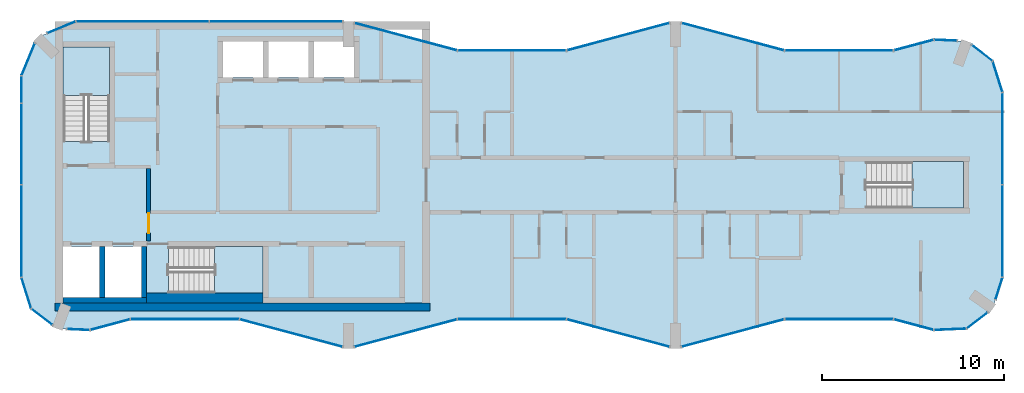
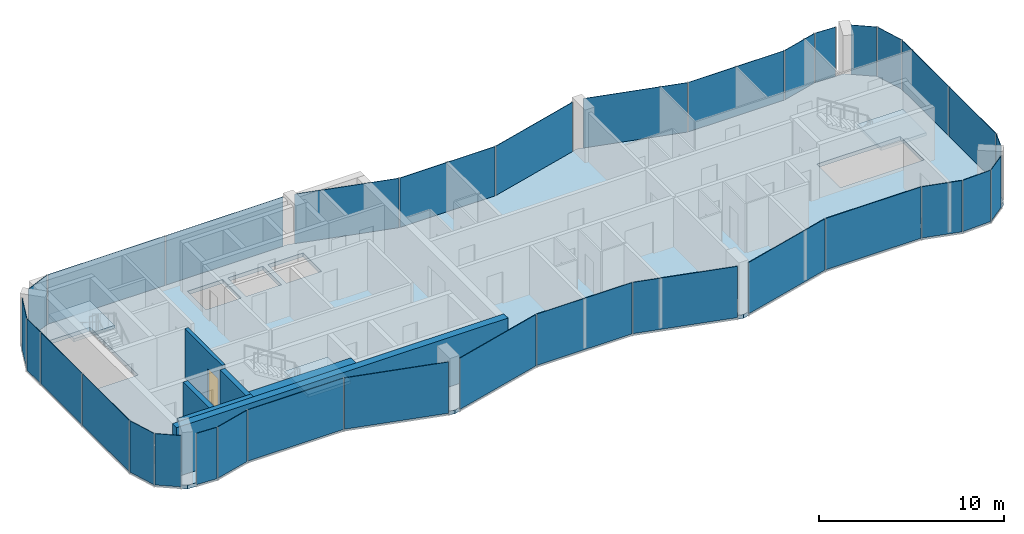
# One storey, part 6 of 10: 33 plates, 6 walls, 4 slabs, 1 door, 1 opening, 32 elements without a shape of their own.
"""IFC4 building model written with IfcOpenShell, lengths in metres."""

import ifcopenshell
import ifcopenshell.guid

model = None  # the IFC model being written
_history = None  # IfcOwnerHistory: only IFC2X3 demands one
_inside = {}  # id of a spatial element -> (the spatial element, [elements in it])
_under = {}  # id of a project, library or spatial element -> (it, [spatial elements below it])
_declared = {}  # id of a project -> (the project, [libraries it declares])
_typed = {}  # id of a type object -> (the type object, [elements of that type])
_made_of = {}  # id of a material, layer set ... -> (it, [elements and type objects made of it])


def new_model(schema):
    """Start an empty IFC model of exactly this schema.

    Asked for "IFC4X3", IfcOpenShell would pick the latest addendum, in which some entities
    have other attributes; the version numbers below select the first issue.
    IFC2X3 requires an IfcOwnerHistory on every rooted entity: one is made here for all.
    """
    global model, _history
    if schema == "IFC4X3":
        model = ifcopenshell.file(schema_version=(4, 3, 0, 0))
    else:
        model = ifcopenshell.file(schema=schema)
    _inside.clear()
    _under.clear()
    _declared.clear()
    _typed.clear()
    _made_of.clear()
    _history = None
    if model.schema == "IFC2X3":
        org = make("IfcOrganization", Name="unknown")
        user = make(
            "IfcPersonAndOrganization",
            ThePerson=make("IfcPerson", FamilyName="unknown"),
            TheOrganization=org,
        )
        app = make(
            "IfcApplication",
            ApplicationDeveloper=org,
            Version="unknown",
            ApplicationFullName="unknown",
            ApplicationIdentifier="unknown",
        )
        _history = make(
            "IfcOwnerHistory",
            OwningUser=user,
            OwningApplication=app,
            ChangeAction="ADDED",
            CreationDate=0,
        )
    return model


def make(cls, **values):
    """One entity of the class cls with the attributes given. An attribute that is None is left unset."""
    return model.create_entity(
        cls, **{name: value for name, value in values.items() if value is not None}
    )


def rooted(cls, **values):
    """An entity with a GlobalId (a new one), such as an element, a storey or a relation."""
    return make(cls, GlobalId=ifcopenshell.guid.new(), OwnerHistory=_history, **values)


def si_unit(unit_type, name, prefix=None):
    """IfcSIUnit, for example si_unit("LENGTHUNIT", "METRE", prefix="MILLI")."""
    return make("IfcSIUnit", UnitType=unit_type, Prefix=prefix, Name=name)


def assignment(units):
    """IfcUnitAssignment: the units of a project."""
    return None if units is None else make("IfcUnitAssignment", Units=units)


def point(xyz):
    """IfcCartesianPoint."""
    return None if xyz is None else make("IfcCartesianPoint", Coordinates=xyz)


def direction(xyz):
    """IfcDirection."""
    return None if xyz is None else make("IfcDirection", DirectionRatios=xyz)


def frame(location, z_axis=None, x_axis=None):
    """IfcAxis2Placement3D, a coordinate frame: its origin and axes. An axis left out is left unset."""
    return make(
        "IfcAxis2Placement3D",
        Location=point(location),
        Axis=direction(z_axis),
        RefDirection=direction(x_axis),
    )


def frame_2d(location, x_axis=None):
    """IfcAxis2Placement2D, a coordinate frame in the plane: its origin and x axis."""
    return make(
        "IfcAxis2Placement2D", Location=point(location), RefDirection=direction(x_axis)
    )


def origin():
    """The frame at (0, 0, 0) with its axes left unset."""
    return frame((0.0, 0.0, 0.0))


def origin_2d():
    """The frame at (0, 0) in the plane with its x axis left unset."""
    return frame_2d((0.0, 0.0))


def place(relative_to, where):
    """IfcLocalPlacement: puts the frame where relative to a parent placement (None: the world)."""
    return make(
        "IfcLocalPlacement", PlacementRelTo=relative_to, RelativePlacement=where
    )


def context(
    kind, dimensions, precision=None, world=None, true_north=None, identifier=None
):
    """IfcGeometricRepresentationContext, for example the 3D "Model" context."""
    return make(
        "IfcGeometricRepresentationContext",
        ContextIdentifier=identifier,
        ContextType=kind,
        CoordinateSpaceDimension=dimensions,
        Precision=precision,
        WorldCoordinateSystem=world,
        TrueNorth=true_north,
    )


def subcontext(parent, identifier, kind, view, scale=None):
    """IfcGeometricRepresentationSubContext, for example "Body" below "Model"."""
    return make(
        "IfcGeometricRepresentationSubContext",
        ContextIdentifier=identifier,
        ContextType=kind,
        ParentContext=parent,
        TargetScale=scale,
        TargetView=view,
    )


def project(units=None, contexts=None):
    """IfcProject with its units and contexts."""
    return rooted(
        "IfcProject",
        Name="project",
        RepresentationContexts=contexts,
        UnitsInContext=assignment(units),
    )


def spatial(cls, under=None, at=None, **own):
    """A site, building, storey or space (cls), placed at a placement, below another one or the project."""
    s = rooted(cls, ObjectPlacement=at, **own)
    if under is not None:
        _under.setdefault(under.id(), (under, []))[1].append(s)
    return s


def polyline(points):
    """IfcPolyline through the points."""
    return make("IfcPolyline", Points=[point(p) for p in points])


def profile(cls, at=None, kind="AREA", **sizes):
    """A parametric profile (cls). Its sizes go by their IFC names, for example OverallWidth=200.0."""
    return make(cls, ProfileType=kind, Position=at, **sizes)


def rectangle(**sizes):
    """IfcRectangleProfileDef."""
    return profile("IfcRectangleProfileDef", **sizes)


def outline(outer, holes=None, kind="AREA"):
    """IfcArbitraryClosedProfileDef: a profile drawn as a closed curve; with holes, ...WithVoids."""
    if holes is None:
        return make("IfcArbitraryClosedProfileDef", ProfileType=kind, OuterCurve=outer)
    return make(
        "IfcArbitraryProfileDefWithVoids",
        ProfileType=kind,
        OuterCurve=outer,
        InnerCurves=holes,
    )


def extrude(swept, where, along, depth):
    """IfcExtrudedAreaSolid: the profile swept, set in the frame where, extruded along a direction by depth."""
    return make(
        "IfcExtrudedAreaSolid",
        SweptArea=swept,
        Position=where,
        ExtrudedDirection=direction(along),
        Depth=depth,
    )


def shape(context_of_items, identifier, shape_type, items):
    """IfcShapeRepresentation: the items that make up one representation, for example the "Body"."""
    return make(
        "IfcShapeRepresentation",
        ContextOfItems=context_of_items,
        RepresentationIdentifier=identifier,
        RepresentationType=shape_type,
        Items=items,
    )


def material(Name=None, Category=None):
    """IfcMaterial."""
    return make("IfcMaterial", Name=Name, Category=Category)


def layer(
    of_material, thickness, ventilated=None, Name=None, Category=None, Priority=None
):
    """IfcMaterialLayer: one layer of a wall or slab, of a material (None: an air gap)."""
    return make(
        "IfcMaterialLayer",
        Material=of_material,
        LayerThickness=thickness,
        IsVentilated=ventilated,
        Name=Name,
        Category=Category,
        Priority=Priority,
    )


def layer_set(layers, Name=None):
    """IfcMaterialLayerSet."""
    return make("IfcMaterialLayerSet", MaterialLayers=layers, LayerSetName=Name)


def made_of(thing, what):
    """Note that an element or type object is made of a material, layer set ...; save() writes the relation."""
    if what is not None:
        _made_of.setdefault(what.id(), (what, []))[1].append(thing)
    return thing


def type_object(cls, material=None, **own):
    """A type object (cls), such as IfcWallType, which elements share."""
    return made_of(rooted(cls, **own), material)


def element(
    cls,
    number,
    at=None,
    inside=None,
    cuts=None,
    type_object=None,
    material=None,
    context=None,
    identifier="Body",
    shape_type=None,
    held_by="IfcProductDefinitionShape",
    body=None,
    shapes=None,
    **own,
):
    """One element of the class cls, such as IfcWall. Its Tag is "e" and its number.

    at: its placement. inside: the storey or other place that contains it. cuts: it is an
    opening in that element (IfcRelVoidsElement). A single representation is given by context,
    identifier, shape_type and body (its items); several are given by shapes. held_by: the class
    of the entity that holds the representations. save() writes the other relations.
    """
    e = rooted(cls, Tag="e%d" % number, ObjectPlacement=at, **own)
    if body is not None:
        shapes = [shape(context, identifier, shape_type, body)]
    if shapes is not None:
        e.Representation = make(held_by, Representations=shapes)
    if inside is not None:
        _inside.setdefault(inside.id(), (inside, []))[1].append(e)
    if cuts is not None:
        rooted(
            "IfcRelVoidsElement", RelatingBuildingElement=cuts, RelatedOpeningElement=e
        )
    if type_object is not None:
        _typed.setdefault(type_object.id(), (type_object, []))[1].append(e)
    return made_of(e, material)


def fill(opening, filler):
    """IfcRelFillsElement: the door or window that sits in an opening."""
    return rooted(
        "IfcRelFillsElement",
        RelatingOpeningElement=opening,
        RelatedBuildingElement=filler,
    )


def aggregate(whole, parts):
    """IfcRelAggregates: a whole, such as a stair, and the parts it consists of."""
    return rooted("IfcRelAggregates", RelatingObject=whole, RelatedObjects=parts)


def save(model, path):
    """Write the relations noted so far, then the file.

    IfcRelAggregates (storeys below a building ...), IfcRelContainedInSpatialStructure (elements
    in a storey), IfcRelDefinesByType, IfcRelAssociatesMaterial and IfcRelDeclares: one each for
    every whole, place, type object, material and project.
    """
    for whole, parts in _under.values():
        aggregate(whole, parts)
    for where, things in _inside.values():
        rooted(
            "IfcRelContainedInSpatialStructure",
            RelatedElements=things,
            RelatingStructure=where,
        )
    for kind, things in _typed.values():
        rooted("IfcRelDefinesByType", RelatedObjects=things, RelatingType=kind)
    for what, things in _made_of.values():
        rooted("IfcRelAssociatesMaterial", RelatedObjects=things, RelatingMaterial=what)
    for by, libraries in _declared.values():
        rooted("IfcRelDeclares", RelatingContext=by, RelatedDefinitions=libraries)
    model.write(path)


model = new_model("IFC4")

# Units and contexts
model_context = context("Model", 3, precision=1e-05, world=origin(), true_north=direction((0.0, 1.0)))
body_context = subcontext(model_context, "Body", "Model", "MODEL_VIEW")
ifc_project = project(units=[si_unit("LENGTHUNIT", "METRE"), si_unit("AREAUNIT", "SQUARE_METRE"), si_unit("VOLUMEUNIT", "CUBIC_METRE"), si_unit("PLANEANGLEUNIT", "RADIAN"), si_unit("MASSUNIT", "GRAM", prefix="KILO")], contexts=[model_context])

# Site, building, storey
site_placement = place(None, origin())
site = spatial("IfcSite", under=ifc_project, at=site_placement, CompositionType="ELEMENT")
building_placement = place(site_placement, origin())
building = spatial("IfcBuilding", under=site, at=building_placement, Name="Plateau Cross Towers", CompositionType="ELEMENT")
storey_placement = place(building_placement, frame((0.0, 0.0, 266.89990234375)))
storey = spatial("IfcBuildingStorey", under=building, at=storey_placement, Name="L70", CompositionType="ELEMENT", Elevation=266.89990234375)

# Curtain wall, plate
ifc_material_1 = material(Name="Dark low-iron glass", Category="glass")
ifc_layer_1 = layer(ifc_material_1, 0.239990234375)
ifc_layer_set_1 = layer_set([ifc_layer_1], Name="Dark low-iron glass")
curtain_wall_type_1 = type_object("IfcCurtainWallType", Name="Curtain wall flush unitised CW-B", PredefinedType="NOTDEFINED", material=ifc_layer_set_1)
curtain_wall_1_placement = place(storey_placement, origin())
curtain_wall_1 = element("IfcCurtainWall", 1, at=curtain_wall_1_placement, inside=storey, type_object=curtain_wall_type_1, Name="ENV/A/L70/A502_10", PredefinedType="NOTDEFINED")
ifc_layer_2 = layer(ifc_material_1, 0.031982421875)
ifc_layer_set_2 = layer_set([ifc_layer_2], Name="Dark low-iron glass")
plate_type_1 = type_object("IfcPlateType", Name="Glass panel 32 flush unitised", PredefinedType="CURTAIN_PANEL", material=ifc_layer_set_2)
plate_1_placement = place(storey_placement, frame((51.125, 1.05078125, -0.1298828125), z_axis=(0.0, 0.0, 1.0), x_axis=(0.999043701491, 0.043722791671, 0.0)))
plate_1 = element("IfcPlate", 2, at=plate_1_placement, type_object=plate_type_1, Name="CW-B panel 1", PredefinedType="CURTAIN_PANEL", context=body_context, shape_type="SweptSolid", body=[
    extrude(rectangle(XDim=1.744140625, YDim=0.031982421875, at=origin_2d()), origin(), (0.0, 0.0, 1.0), 3.3798828125),
])
aggregate(curtain_wall_1, [plate_1])

curtain_wall_2_placement = place(storey_placement, origin())
curtain_wall_2 = element("IfcCurtainWall", 3, at=curtain_wall_2_placement, inside=storey, type_object=curtain_wall_type_1, Name="ENV/A/L70/A520_11", PredefinedType="NOTDEFINED")
plate_2_placement = place(storey_placement, frame((52.60986328125, 1.5380859375, -0.1298828125), z_axis=(0.0, 0.0, 1.0), x_axis=(0.793315514529, 0.608810721331, 0.0)))
plate_2 = element("IfcPlate", 4, at=plate_2_placement, type_object=plate_type_1, Name="CW-B panel 1", PredefinedType="CURTAIN_PANEL", context=body_context, shape_type="SweptSolid", body=[
    extrude(rectangle(XDim=1.41162109375, YDim=0.031982421875, at=origin_2d()), origin(), (0.0, 0.0, 1.0), 3.3798828125),
])
aggregate(curtain_wall_2, [plate_2])

curtain_wall_3_placement = place(storey_placement, origin())
curtain_wall_3 = element("IfcCurtainWall", 5, at=curtain_wall_3_placement, inside=storey, type_object=curtain_wall_type_1, Name="ENV/A/L70/A536_27", PredefinedType="NOTDEFINED")
plate_3_placement = place(storey_placement, frame((53.805419921875, 3.292236328125, -0.1298828125), z_axis=(0.0, 0.0, 1.0), x_axis=(0.300686174994, 0.95372313811, 0.0)))
plate_3 = element("IfcPlate", 6, at=plate_3_placement, type_object=plate_type_1, Name="CW-B panel 1", PredefinedType="CURTAIN_PANEL", context=body_context, shape_type="SweptSolid", body=[
    extrude(rectangle(XDim=1.233642578125, YDim=0.031982421875, at=origin_2d()), origin(), (0.0, 0.0, 1.0), 3.3798828125),
])
aggregate(curtain_wall_3, [plate_3])

# Curtain wall, plates
curtain_wall_4_placement = place(storey_placement, origin())
curtain_wall_4 = element("IfcCurtainWall", 7, at=curtain_wall_4_placement, inside=storey, type_object=curtain_wall_type_1, Name="ENV/A/L70/A540_39", PredefinedType="NOTDEFINED")
plate_4_placement = place(storey_placement, frame((54.0, 6.45458984375, -0.1298828125), z_axis=(0.0, 0.0, 1.0), x_axis=(0.0, 1.0, 0.0)))
plate_4 = element("IfcPlate", 8, at=plate_4_placement, type_object=plate_type_1, Name="CW-B panel 1", PredefinedType="CURTAIN_PANEL", context=body_context, shape_type="SweptSolid", body=[
    extrude(rectangle(XDim=5.03076171875, YDim=0.031982421875, at=origin_2d()), origin(), (0.0, 0.0, 1.0), 3.3798828125),
])
plate_5_placement = place(storey_placement, frame((54.0, 11.54541015625, -0.1298828125), z_axis=(0.0, 0.0, 1.0), x_axis=(0.0, 1.0, 0.0)))
plate_5 = element("IfcPlate", 9, at=plate_5_placement, type_object=plate_type_1, Name="CW-B panel 2", PredefinedType="CURTAIN_PANEL", context=body_context, shape_type="SweptSolid", body=[
    extrude(rectangle(XDim=5.03076171875, YDim=0.031982421875, at=origin_2d()), origin(), (0.0, 0.0, 1.0), 3.3798828125),
])
aggregate(curtain_wall_4, [plate_4, plate_5])

# Curtain wall, plate
curtain_wall_5_placement = place(storey_placement, origin())
curtain_wall_5 = element("IfcCurtainWall", 10, at=curtain_wall_5_placement, inside=storey, type_object=curtain_wall_type_1, Name="ENV/A/L70/A540_141", PredefinedType="NOTDEFINED")
plate_6_placement = place(storey_placement, frame((53.728759765625, 14.951171875, -0.1298828125), z_axis=(0.0, 0.0, 1.0), x_axis=(-0.300686174994, 0.95372313811, 0.0)))
plate_6 = element("IfcPlate", 11, at=plate_6_placement, type_object=plate_type_1, Name="CW-B panel 1", PredefinedType="CURTAIN_PANEL", context=body_context, shape_type="SweptSolid", body=[
    extrude(rectangle(XDim=1.744140625, YDim=0.031982421875, at=origin_2d()), origin(), (0.0, 0.0, 1.0), 3.3798828125),
])
aggregate(curtain_wall_5, [plate_6])

curtain_wall_6_placement = place(storey_placement, origin())
curtain_wall_6 = element("IfcCurtainWall", 12, at=curtain_wall_6_placement, inside=storey, type_object=curtain_wall_type_1, Name="ENV/A/L70/A535_158", PredefinedType="NOTDEFINED")
plate_7_placement = place(storey_placement, frame((52.873779296875, 16.25927734375, -0.1298828125), z_axis=(0.0, 0.0, 1.0), x_axis=(-0.793315514529, 0.608810721331, 0.0)))
plate_7 = element("IfcPlate", 13, at=plate_7_placement, type_object=plate_type_1, Name="CW-B panel 1", PredefinedType="CURTAIN_PANEL", context=body_context, shape_type="SweptSolid", body=[
    extrude(rectangle(XDim=1.41162109375, YDim=0.031982421875, at=origin_2d()), origin(), (0.0, 0.0, 1.0), 3.3798828125),
])
aggregate(curtain_wall_6, [plate_7])

curtain_wall_7_placement = place(storey_placement, origin())
curtain_wall_7 = element("IfcCurtainWall", 14, at=curtain_wall_7_placement, inside=storey, type_object=curtain_wall_type_1, Name="ENV/A/L70/A515_169", PredefinedType="NOTDEFINED")
plate_8_placement = place(storey_placement, frame((50.8701171875, 16.96044921875, -0.1298828125), z_axis=(0.0, 0.0, 1.0), x_axis=(-0.999043701491, 0.043722791671, 0.0)))
plate_8 = element("IfcPlate", 15, at=plate_8_placement, type_object=plate_type_1, Name="CW-B panel 1", PredefinedType="CURTAIN_PANEL", context=body_context, shape_type="SweptSolid", body=[
    extrude(rectangle(XDim=1.233642578125, YDim=0.031982421875, at=origin_2d()), origin(), (0.0, 0.0, 1.0), 3.3798828125),
])
aggregate(curtain_wall_7, [plate_8])

# Curtain wall, plates
curtain_wall_8_placement = place(storey_placement, origin())
curtain_wall_8 = element("IfcCurtainWall", 16, at=curtain_wall_8_placement, inside=storey, type_object=curtain_wall_type_1, Name="ENV/A/L70/A177_180", PredefinedType="NOTDEFINED")
plate_9_placement = place(storey_placement, frame((14.02490234375, 18.0, -0.1298828125), z_axis=(0.0, 0.0, 1.0), x_axis=(-1.0, 0.0, 0.0)))
plate_9 = element("IfcPlate", 17, at=plate_9_placement, type_object=plate_type_1, Name="CW-B panel 1", PredefinedType="CURTAIN_PANEL", context=body_context, shape_type="SweptSolid", body=[
    extrude(rectangle(XDim=7.2900390625, YDim=0.031982421875, at=origin_2d()), origin(), (0.0, 0.0, 1.0), 3.3798828125),
])
plate_10_placement = place(storey_placement, frame((6.675048828125, 18.0, -0.1298828125), z_axis=(0.0, 0.0, 1.0), x_axis=(-1.0, 0.0, 0.0)))
plate_10 = element("IfcPlate", 18, at=plate_10_placement, type_object=plate_type_1, Name="CW-B panel 2", PredefinedType="CURTAIN_PANEL", context=body_context, shape_type="SweptSolid", body=[
    extrude(rectangle(XDim=7.2900390625, YDim=0.031982421875, at=origin_2d()), origin(), (0.0, 0.0, 1.0), 3.3798828125),
])
aggregate(curtain_wall_8, [plate_9, plate_10])

# Curtain wall, plate
curtain_wall_9_placement = place(storey_placement, origin())
curtain_wall_9 = element("IfcCurtainWall", 19, at=curtain_wall_9_placement, inside=storey, type_object=curtain_wall_type_1, Name="ENV/A/L70/A30_180", PredefinedType="NOTDEFINED")
plate_11_placement = place(storey_placement, frame((2.20166015625, 17.66943359375, -0.1298828125), z_axis=(0.0, 0.0, 1.0), x_axis=(-0.923879457699, -0.382683612978, 0.0)))
plate_11 = element("IfcPlate", 20, at=plate_11_placement, type_object=plate_type_1, Name="CW-B panel 1", PredefinedType="CURTAIN_PANEL", context=body_context, shape_type="SweptSolid", body=[
    extrude(rectangle(XDim=1.668212890625, YDim=0.031982421875, at=origin_2d()), origin(), (0.0, 0.0, 1.0), 3.3798828125),
])
aggregate(curtain_wall_9, [plate_11])

curtain_wall_10_placement = place(storey_placement, origin())
curtain_wall_10 = element("IfcCurtainWall", 21, at=curtain_wall_10_placement, inside=storey, type_object=curtain_wall_type_1, Name="ENV/A/L70/A7_168", PredefinedType="NOTDEFINED")
plate_12_placement = place(storey_placement, frame((0.3740234375, 15.90283203125, -0.1298828125), z_axis=(0.0, 0.0, 1.0), x_axis=(-0.382683612978, -0.923879457699, 0.0)))
plate_12 = element("IfcPlate", 22, at=plate_12_placement, type_object=plate_type_1, Name="CW-B panel 1", PredefinedType="CURTAIN_PANEL", context=body_context, shape_type="SweptSolid", body=[
    extrude(rectangle(XDim=1.894775390625, YDim=0.031982421875, at=origin_2d()), origin(), (0.0, 0.0, 1.0), 3.3798828125),
])
aggregate(curtain_wall_10, [plate_12])

# Curtain wall, plates
curtain_wall_11_placement = place(storey_placement, origin())
curtain_wall_11 = element("IfcCurtainWall", 23, at=curtain_wall_11_placement, inside=storey, type_object=curtain_wall_type_1, Name="ENV/A/L70/A0_150", PredefinedType="NOTDEFINED")
plate_13_placement = place(storey_placement, frame((0.0, 14.25, -0.1298828125), z_axis=(0.0, 0.0, 1.0), x_axis=(0.0, -1.0, 0.0)))
plate_13 = element("IfcPlate", 24, at=plate_13_placement, type_object=plate_type_1, Name="CW-B panel 1", PredefinedType="CURTAIN_PANEL", context=body_context, shape_type="SweptSolid", body=[
    extrude(rectangle(XDim=1.43994140625, YDim=0.031982421875, at=origin_2d()), origin(), (0.0, 0.0, 1.0), 3.3798828125),
])
plate_14_placement = place(storey_placement, frame((0.0, 11.25, -0.1298828125), z_axis=(0.0, 0.0, 1.0), x_axis=(0.0, -1.0, 0.0)))
plate_14 = element("IfcPlate", 25, at=plate_14_placement, type_object=plate_type_1, Name="CW-B panel 2", PredefinedType="CURTAIN_PANEL", context=body_context, shape_type="SweptSolid", body=[
    extrude(rectangle(XDim=4.43994140625, YDim=0.031982421875, at=origin_2d()), origin(), (0.0, 0.0, 1.0), 3.3798828125),
])
plate_15_placement = place(storey_placement, frame((0.0, 6.45458984375, -0.1298828125), z_axis=(0.0, 0.0, 1.0), x_axis=(0.0, -1.0, 0.0)))
plate_15 = element("IfcPlate", 26, at=plate_15_placement, type_object=plate_type_1, Name="CW-B panel 3", PredefinedType="CURTAIN_PANEL", context=body_context, shape_type="SweptSolid", body=[
    extrude(rectangle(XDim=5.03076171875, YDim=0.031982421875, at=origin_2d()), origin(), (0.0, 0.0, 1.0), 3.3798828125),
])
aggregate(curtain_wall_11, [plate_13, plate_14, plate_15])

# Curtain wall, plate
curtain_wall_12_placement = place(storey_placement, origin())
curtain_wall_12 = element("IfcCurtainWall", 27, at=curtain_wall_12_placement, inside=storey, type_object=curtain_wall_type_1, Name="ENV/A/L70/A0_39", PredefinedType="NOTDEFINED")
plate_16_placement = place(storey_placement, frame((0.271240234375, 3.048828125, -0.1298828125), z_axis=(0.0, 0.0, 1.0), x_axis=(0.300686174994, -0.95372313811, 0.0)))
plate_16 = element("IfcPlate", 28, at=plate_16_placement, type_object=plate_type_1, Name="CW-B panel 1", PredefinedType="CURTAIN_PANEL", context=body_context, shape_type="SweptSolid", body=[
    extrude(rectangle(XDim=1.744140625, YDim=0.031982421875, at=origin_2d()), origin(), (0.0, 0.0, 1.0), 3.3798828125),
])
aggregate(curtain_wall_12, [plate_16])

curtain_wall_13_placement = place(storey_placement, origin())
curtain_wall_13 = element("IfcCurtainWall", 29, at=curtain_wall_13_placement, inside=storey, type_object=curtain_wall_type_1, Name="ENV/A/L70/A5_22", PredefinedType="NOTDEFINED")
plate_17_placement = place(storey_placement, frame((1.126220703125, 1.74072265625, -0.1298828125), z_axis=(0.0, 0.0, 1.0), x_axis=(0.793315514529, -0.608810721331, 0.0)))
plate_17 = element("IfcPlate", 30, at=plate_17_placement, type_object=plate_type_1, Name="CW-B panel 1", PredefinedType="CURTAIN_PANEL", context=body_context, shape_type="SweptSolid", body=[
    extrude(rectangle(XDim=1.41162109375, YDim=0.031982421875, at=origin_2d()), origin(), (0.0, 0.0, 1.0), 3.3798828125),
])
aggregate(curtain_wall_13, [plate_17])

curtain_wall_14_placement = place(storey_placement, origin())
curtain_wall_14 = element("IfcCurtainWall", 31, at=curtain_wall_14_placement, inside=storey, type_object=curtain_wall_type_1, Name="ENV/A/L70/A25_11", PredefinedType="NOTDEFINED")
plate_18_placement = place(storey_placement, frame((3.1298828125, 1.03955078125, -0.1298828125), z_axis=(0.0, 0.0, 1.0), x_axis=(0.999043701491, -0.043722791671, 0.0)))
plate_18 = element("IfcPlate", 32, at=plate_18_placement, type_object=plate_type_1, Name="CW-B panel 1", PredefinedType="CURTAIN_PANEL", context=body_context, shape_type="SweptSolid", body=[
    extrude(rectangle(XDim=1.233642578125, YDim=0.031982421875, at=origin_2d()), origin(), (0.0, 0.0, 1.0), 3.3798828125),
])
aggregate(curtain_wall_14, [plate_18])

ifc_layer_3 = layer(ifc_material_1, 0.260009765625)
ifc_layer_set_3 = layer_set([ifc_layer_3], Name="Dark low-iron glass")
curtain_wall_type_2 = type_object("IfcCurtainWallType", Name="Curtain wall fluted unitised CW-A", PredefinedType="NOTDEFINED", material=ifc_layer_set_3)
curtain_wall_15_placement = place(storey_placement, origin())
curtain_wall_15 = element("IfcCurtainWall", 33, at=curtain_wall_15_placement, inside=storey, type_object=curtain_wall_type_2, Name="ENV/A/L70/A38_10", PredefinedType="NOTDEFINED")
ifc_layer_4 = layer(ifc_material_1, 0.035888671875)
ifc_layer_set_4 = layer_set([ifc_layer_4], Name="Dark low-iron glass")
plate_type_2 = type_object("IfcPlateType", Name="Glass panel 36 fluted unitised", PredefinedType="CURTAIN_PANEL", material=ifc_layer_set_4)
plate_19_placement = place(storey_placement, frame((4.887939453125, 1.30908203125, -0.1298828125), z_axis=(0.0, 0.0, 1.0), x_axis=(0.965957962328, 0.258699081978, 0.0)))
plate_19 = element("IfcPlate", 34, at=plate_19_placement, type_object=plate_type_2, Name="CW-A panel 1", PredefinedType="CURTAIN_PANEL", context=body_context, shape_type="SweptSolid", body=[
    extrude(rectangle(XDim=2.2421875, YDim=0.035888671875, at=origin_2d()), origin(), (0.0, 0.0, 1.0), 3.3798828125),
])
aggregate(curtain_wall_15, [plate_19])

curtain_wall_16_placement = place(storey_placement, origin())
curtain_wall_16 = element("IfcCurtainWall", 35, at=curtain_wall_16_placement, inside=storey, type_object=curtain_wall_type_2, Name="ENV/A/L70/A60_16", PredefinedType="NOTDEFINED")
plate_20_placement = place(storey_placement, frame((9.0, 1.60693359375, -0.1298828125), z_axis=(0.0, 0.0, 1.0), x_axis=(1.0, 0.0, 0.0)))
plate_20 = element("IfcPlate", 36, at=plate_20_placement, type_object=plate_type_2, Name="CW-A panel 1", PredefinedType="CURTAIN_PANEL", context=body_context, shape_type="SweptSolid", body=[
    extrude(rectangle(XDim=5.93994140625, YDim=0.035888671875, at=origin_2d()), origin(), (0.0, 0.0, 1.0), 3.3798828125),
])
aggregate(curtain_wall_16, [plate_20])

curtain_wall_17_placement = place(storey_placement, origin())
curtain_wall_17 = element("IfcCurtainWall", 37, at=curtain_wall_17_placement, inside=storey, type_object=curtain_wall_type_2, Name="ENV/A/L70/A120_16", PredefinedType="NOTDEFINED")
plate_21_placement = place(storey_placement, frame((14.841064453125, 0.845947265625, -0.1298828125), z_axis=(0.0, 0.0, 1.0), x_axis=(0.965957983404, -0.258699003279, 0.0)))
plate_21 = element("IfcPlate", 38, at=plate_21_placement, type_object=plate_type_2, Name="CW-A panel 1", PredefinedType="CURTAIN_PANEL", context=body_context, shape_type="SweptSolid", body=[
    extrude(rectangle(XDim=5.822265625, YDim=0.035888671875, at=origin_2d()), origin(), (0.0, 0.0, 1.0), 3.3798828125),
])
aggregate(curtain_wall_17, [plate_21])

curtain_wall_18_placement = place(storey_placement, origin())
curtain_wall_18 = element("IfcCurtainWall", 39, at=curtain_wall_18_placement, inside=storey, type_object=curtain_wall_type_2, Name="ENV/A/L70/A183_1", PredefinedType="NOTDEFINED")
plate_22_placement = place(storey_placement, frame((21.158935546875, 0.845947265625, -0.1298828125), z_axis=(0.0, 0.0, 1.0), x_axis=(0.965957983404, 0.258699003279, 0.0)))
plate_22 = element("IfcPlate", 40, at=plate_22_placement, type_object=plate_type_2, Name="CW-A panel 1", PredefinedType="CURTAIN_PANEL", context=body_context, shape_type="SweptSolid", body=[
    extrude(rectangle(XDim=5.822265625, YDim=0.035888671875, at=origin_2d()), origin(), (0.0, 0.0, 1.0), 3.3798828125),
])
aggregate(curtain_wall_18, [plate_22])

curtain_wall_19_placement = place(storey_placement, origin())
curtain_wall_19 = element("IfcCurtainWall", 41, at=curtain_wall_19_placement, inside=storey, type_object=curtain_wall_type_2, Name="ENV/A/L70/A240_16", PredefinedType="NOTDEFINED")
plate_23_placement = place(storey_placement, frame((27.0, 1.60693359375, -0.1298828125), z_axis=(0.0, 0.0, 1.0), x_axis=(1.0, 0.0, 0.0)))
plate_23 = element("IfcPlate", 42, at=plate_23_placement, type_object=plate_type_2, Name="CW-A panel 1", PredefinedType="CURTAIN_PANEL", context=body_context, shape_type="SweptSolid", body=[
    extrude(rectangle(XDim=5.93994140625, YDim=0.035888671875, at=origin_2d()), origin(), (0.0, 0.0, 1.0), 3.3798828125),
])
aggregate(curtain_wall_19, [plate_23])

curtain_wall_20_placement = place(storey_placement, origin())
curtain_wall_20 = element("IfcCurtainWall", 43, at=curtain_wall_20_placement, inside=storey, type_object=curtain_wall_type_2, Name="ENV/A/L70/A300_16", PredefinedType="NOTDEFINED")
plate_24_placement = place(storey_placement, frame((32.841064453125, 0.845947265625, -0.1298828125), z_axis=(0.0, 0.0, 1.0), x_axis=(0.965957983404, -0.258699003279, 0.0)))
plate_24 = element("IfcPlate", 44, at=plate_24_placement, type_object=plate_type_2, Name="CW-A panel 1", PredefinedType="CURTAIN_PANEL", context=body_context, shape_type="SweptSolid", body=[
    extrude(rectangle(XDim=5.822265625, YDim=0.035888671875, at=origin_2d()), origin(), (0.0, 0.0, 1.0), 3.3798828125),
])
aggregate(curtain_wall_20, [plate_24])

curtain_wall_21_placement = place(storey_placement, origin())
curtain_wall_21 = element("IfcCurtainWall", 45, at=curtain_wall_21_placement, inside=storey, type_object=curtain_wall_type_2, Name="ENV/A/L70/A363_1", PredefinedType="NOTDEFINED")
plate_25_placement = place(storey_placement, frame((39.158935546875, 0.845947265625, -0.1298828125), z_axis=(0.0, 0.0, 1.0), x_axis=(0.965957983404, 0.258699003279, 0.0)))
plate_25 = element("IfcPlate", 46, at=plate_25_placement, type_object=plate_type_2, Name="CW-A panel 1", PredefinedType="CURTAIN_PANEL", context=body_context, shape_type="SweptSolid", body=[
    extrude(rectangle(XDim=5.822265625, YDim=0.035888671875, at=origin_2d()), origin(), (0.0, 0.0, 1.0), 3.3798828125),
])
aggregate(curtain_wall_21, [plate_25])

curtain_wall_22_placement = place(storey_placement, origin())
curtain_wall_22 = element("IfcCurtainWall", 47, at=curtain_wall_22_placement, inside=storey, type_object=curtain_wall_type_2, Name="ENV/A/L70/A420_16", PredefinedType="NOTDEFINED")
plate_26_placement = place(storey_placement, frame((45.0, 1.60693359375, -0.1298828125), z_axis=(0.0, 0.0, 1.0), x_axis=(1.0, 0.0, 0.0)))
plate_26 = element("IfcPlate", 48, at=plate_26_placement, type_object=plate_type_2, Name="CW-A panel 1", PredefinedType="CURTAIN_PANEL", context=body_context, shape_type="SweptSolid", body=[
    extrude(rectangle(XDim=5.93994140625, YDim=0.035888671875, at=origin_2d()), origin(), (0.0, 0.0, 1.0), 3.3798828125),
])
aggregate(curtain_wall_22, [plate_26])

curtain_wall_23_placement = place(storey_placement, origin())
curtain_wall_23 = element("IfcCurtainWall", 49, at=curtain_wall_23_placement, inside=storey, type_object=curtain_wall_type_2, Name="ENV/A/L70/A480_16", PredefinedType="NOTDEFINED")
plate_27_placement = place(storey_placement, frame((49.112060546875, 1.30908203125, -0.1298828125), z_axis=(0.0, 0.0, 1.0), x_axis=(0.965957962328, -0.258699081978, 0.0)))
plate_27 = element("IfcPlate", 50, at=plate_27_placement, type_object=plate_type_2, Name="CW-A panel 1", PredefinedType="CURTAIN_PANEL", context=body_context, shape_type="SweptSolid", body=[
    extrude(rectangle(XDim=2.2421875, YDim=0.035888671875, at=origin_2d()), origin(), (0.0, 0.0, 1.0), 3.3798828125),
])
aggregate(curtain_wall_23, [plate_27])

curtain_wall_24_placement = place(storey_placement, origin())
curtain_wall_24 = element("IfcCurtainWall", 51, at=curtain_wall_24_placement, inside=storey, type_object=curtain_wall_type_2, Name="ENV/A/L70/A502_170", PredefinedType="NOTDEFINED")
plate_28_placement = place(storey_placement, frame((49.112060546875, 16.69091796875, -0.1298828125), z_axis=(0.0, 0.0, 1.0), x_axis=(-0.965957962328, -0.258699081978, 0.0)))
plate_28 = element("IfcPlate", 52, at=plate_28_placement, type_object=plate_type_2, Name="CW-A panel 1", PredefinedType="CURTAIN_PANEL", context=body_context, shape_type="SweptSolid", body=[
    extrude(rectangle(XDim=2.2421875, YDim=0.035888671875, at=origin_2d()), origin(), (0.0, 0.0, 1.0), 3.3798828125),
])
aggregate(curtain_wall_24, [plate_28])

curtain_wall_25_placement = place(storey_placement, origin())
curtain_wall_25 = element("IfcCurtainWall", 53, at=curtain_wall_25_placement, inside=storey, type_object=curtain_wall_type_2, Name="ENV/A/L70/A480_164", PredefinedType="NOTDEFINED")
plate_29_placement = place(storey_placement, frame((45.0, 16.39306640625, -0.1298828125), z_axis=(0.0, 0.0, 1.0), x_axis=(-1.0, 0.0, 0.0)))
plate_29 = element("IfcPlate", 54, at=plate_29_placement, type_object=plate_type_2, Name="CW-A panel 1", PredefinedType="CURTAIN_PANEL", context=body_context, shape_type="SweptSolid", body=[
    extrude(rectangle(XDim=5.93994140625, YDim=0.035888671875, at=origin_2d()), origin(), (0.0, 0.0, 1.0), 3.3798828125),
])
aggregate(curtain_wall_25, [plate_29])

curtain_wall_26_placement = place(storey_placement, origin())
curtain_wall_26 = element("IfcCurtainWall", 55, at=curtain_wall_26_placement, inside=storey, type_object=curtain_wall_type_2, Name="ENV/A/L70/A420_164", PredefinedType="NOTDEFINED")
plate_30_placement = place(storey_placement, frame((39.158935546875, 17.154052734375, -0.1298828125), z_axis=(0.0, 0.0, 1.0), x_axis=(-0.965957983404, 0.258699003279, 0.0)))
plate_30 = element("IfcPlate", 56, at=plate_30_placement, type_object=plate_type_2, Name="CW-A panel 1", PredefinedType="CURTAIN_PANEL", context=body_context, shape_type="SweptSolid", body=[
    extrude(rectangle(XDim=5.822265625, YDim=0.035888671875, at=origin_2d()), origin(), (0.0, 0.0, 1.0), 3.3798828125),
])
aggregate(curtain_wall_26, [plate_30])

curtain_wall_27_placement = place(storey_placement, origin())
curtain_wall_27 = element("IfcCurtainWall", 57, at=curtain_wall_27_placement, inside=storey, type_object=curtain_wall_type_2, Name="ENV/A/L70/A357_179", PredefinedType="NOTDEFINED")
plate_31_placement = place(storey_placement, frame((32.841064453125, 17.154052734375, -0.1298828125), z_axis=(0.0, 0.0, 1.0), x_axis=(-0.965957983404, -0.258699003279, 0.0)))
plate_31 = element("IfcPlate", 58, at=plate_31_placement, type_object=plate_type_2, Name="CW-A panel 1", PredefinedType="CURTAIN_PANEL", context=body_context, shape_type="SweptSolid", body=[
    extrude(rectangle(XDim=5.822265625, YDim=0.035888671875, at=origin_2d()), origin(), (0.0, 0.0, 1.0), 3.3798828125),
])
aggregate(curtain_wall_27, [plate_31])

curtain_wall_28_placement = place(storey_placement, origin())
curtain_wall_28 = element("IfcCurtainWall", 59, at=curtain_wall_28_placement, inside=storey, type_object=curtain_wall_type_2, Name="ENV/A/L70/A300_164", PredefinedType="NOTDEFINED")
plate_32_placement = place(storey_placement, frame((27.0, 16.39306640625, -0.1298828125), z_axis=(0.0, 0.0, 1.0), x_axis=(-1.0, 0.0, 0.0)))
plate_32 = element("IfcPlate", 60, at=plate_32_placement, type_object=plate_type_2, Name="CW-A panel 1", PredefinedType="CURTAIN_PANEL", context=body_context, shape_type="SweptSolid", body=[
    extrude(rectangle(XDim=5.93994140625, YDim=0.035888671875, at=origin_2d()), origin(), (0.0, 0.0, 1.0), 3.3798828125),
])
aggregate(curtain_wall_28, [plate_32])

curtain_wall_29_placement = place(storey_placement, origin())
curtain_wall_29 = element("IfcCurtainWall", 61, at=curtain_wall_29_placement, inside=storey, type_object=curtain_wall_type_2, Name="ENV/A/L70/A240_164", PredefinedType="NOTDEFINED")
plate_33_placement = place(storey_placement, frame((21.158935546875, 17.154052734375, -0.1298828125), z_axis=(0.0, 0.0, 1.0), x_axis=(-0.965957983404, 0.258699003279, 0.0)))
plate_33 = element("IfcPlate", 62, at=plate_33_placement, type_object=plate_type_2, Name="CW-A panel 1", PredefinedType="CURTAIN_PANEL", context=body_context, shape_type="SweptSolid", body=[
    extrude(rectangle(XDim=5.822265625, YDim=0.035888671875, at=origin_2d()), origin(), (0.0, 0.0, 1.0), 3.3798828125),
])
aggregate(curtain_wall_29, [plate_33])

# Slab
ifc_material_2 = material(Name="Concrete C40/50", Category="concrete")
ifc_layer_5 = layer(ifc_material_2, 0.25)
ifc_layer_set_5 = layer_set([ifc_layer_5], Name="Concrete C40/50")
slab_type_1 = type_object("IfcSlabType", Name="Post-tensioned flat plate slab 250", PredefinedType="FLOOR", material=ifc_layer_set_5)
slab_1_placement = place(storey_placement, frame((0.0, 0.0, -0.25)))
element("IfcSlab", 63, at=slab_1_placement, inside=storey, type_object=slab_type_1, Name="SL-A-L70", PredefinedType="FLOOR", context=body_context, shape_type="SweptSolid", body=[
    extrude(outline(polyline([(1.9736328125, 1.090087890625), (0.54248046875, 2.1884765625), (0.0, 3.9091796875), (0.0, 15.0), (0.878662109375, 17.121337890625), (3.0, 18.0), (18.0, 18.0), (24.0, 16.39306640625), (30.0, 16.39306640625), (36.0, 18.0), (42.0, 16.39306640625), (48.0, 16.39306640625), (50.223876953125, 16.98876953125), (52.0263671875, 16.909912109375), (53.45751953125, 15.8115234375), (54.0, 14.0908203125), (54.0, 3.9091796875), (53.45751953125, 2.1884765625), (52.0263671875, 1.090087890625), (50.223876953125, 1.01123046875), (48.0, 1.60693359375), (42.0, 1.60693359375), (36.0, 0.0), (30.0, 1.60693359375), (24.0, 1.60693359375), (18.0, 0.0), (12.0, 1.60693359375), (6.0, 1.60693359375), (3.776123046875, 1.01123046875), (1.9736328125, 1.090087890625)]), holes=[polyline([(4.300048828125, 5.60009765625), (2.300048828125, 5.60009765625), (2.300048828125, 2.800048828125), (4.300048828125, 2.800048828125), (4.300048828125, 5.60009765625)]), polyline([(6.60009765625, 5.60009765625), (4.60009765625, 5.60009765625), (4.60009765625, 2.800048828125), (6.60009765625, 2.800048828125), (6.60009765625, 5.60009765625)]), polyline([(13.300048828125, 5.60009765625), (8.10009765625, 5.60009765625), (8.10009765625, 3.050048828125), (13.300048828125, 3.050048828125), (13.300048828125, 5.60009765625)]), polyline([(51.699951171875, 10.27490234375), (46.5, 10.27490234375), (46.5, 7.72509765625), (51.699951171875, 7.72509765625), (51.699951171875, 10.27490234375)]), polyline([(2.300048828125, 16.60009765625), (2.300048828125, 11.39990234375), (4.85009765625, 11.39990234375), (4.85009765625, 16.60009765625), (2.300048828125, 16.60009765625)]), polyline([(13.300048828125, 16.89990234375), (11.10009765625, 16.89990234375), (11.10009765625, 14.89990234375), (13.300048828125, 14.89990234375), (13.300048828125, 16.89990234375)]), polyline([(15.800048828125, 16.89990234375), (13.60009765625, 16.89990234375), (13.60009765625, 14.89990234375), (15.800048828125, 14.89990234375), (15.800048828125, 16.89990234375)]), polyline([(18.300048828125, 16.89990234375), (16.10009765625, 16.89990234375), (16.10009765625, 14.89990234375), (18.300048828125, 14.89990234375), (18.300048828125, 16.89990234375)])]), origin(), (0.0, 0.0, 1.0), 0.25),
])

# Stair, slab
stair_type = type_object("IfcStairType", Name="ST-TWR", PredefinedType="HALF_TURN_STAIR", material=ifc_material_2)
stair_1_placement = place(storey_placement, origin())
stair_1 = element("IfcStair", 64, at=stair_1_placement, inside=storey, type_object=stair_type, Name="L70 Protected Exit Stair ST-1", PredefinedType="HALF_TURN_STAIR")
ifc_layer_6 = layer(ifc_material_2, 0.199951171875)
ifc_layer_set_6 = layer_set([ifc_layer_6], Name="Concrete C40/50")
slab_type_2 = type_object("IfcSlabType", Name="SL-LANDING", PredefinedType="LANDING", material=ifc_layer_set_6)
slab_2_placement = place(storey_placement, frame((0.0, 0.0, 1.550048828125)))
slab_2 = element("IfcSlab", 65, at=slab_2_placement, type_object=slab_type_2, Name="ST-1 landing 1", PredefinedType="LANDING", context=body_context, shape_type="SweptSolid", body=[
    extrude(outline(polyline([(4.85009765625, 13.919921875), (4.85009765625, 16.60009765625), (2.300048828125, 16.60009765625), (2.300048828125, 13.919921875), (4.85009765625, 13.919921875)])), origin(), (0.0, 0.0, 1.0), 0.199951171875),
])
aggregate(stair_1, [slab_2])

stair_2_placement = place(storey_placement, origin())
stair_2 = element("IfcStair", 66, at=stair_2_placement, inside=storey, type_object=stair_type, Name="L70 Protected Exit Stair ST-2", PredefinedType="HALF_TURN_STAIR")
slab_3_placement = place(storey_placement, frame((0.0, 0.0, 1.550048828125)))
slab_3 = element("IfcSlab", 67, at=slab_3_placement, type_object=slab_type_2, Name="ST-2 landing 1", PredefinedType="LANDING", context=body_context, shape_type="SweptSolid", body=[
    extrude(outline(polyline([(10.6201171875, 3.050048828125), (13.300048828125, 3.050048828125), (13.300048828125, 5.60009765625), (10.6201171875, 5.60009765625), (10.6201171875, 3.050048828125)])), origin(), (0.0, 0.0, 1.0), 0.199951171875),
])
aggregate(stair_2, [slab_3])

stair_3_placement = place(storey_placement, origin())
stair_3 = element("IfcStair", 68, at=stair_3_placement, inside=storey, type_object=stair_type, Name="L70 Protected Exit Stair E", PredefinedType="HALF_TURN_STAIR")
slab_4_placement = place(storey_placement, frame((0.0, 0.0, 1.550048828125)))
slab_4 = element("IfcSlab", 69, at=slab_4_placement, type_object=slab_type_2, Name="ES-E landing 1", PredefinedType="LANDING", context=body_context, shape_type="SweptSolid", body=[
    extrude(outline(polyline([(49.02001953125, 7.72509765625), (51.85009765625, 7.72509765625), (51.85009765625, 10.27490234375), (49.02001953125, 10.27490234375), (49.02001953125, 7.72509765625)])), origin(), (0.0, 0.0, 1.0), 0.199951171875),
])
aggregate(stair_3, [slab_4])

# Wall, opening, door
ifc_material_3 = material(Name="Concrete block, plastered both sides", Category="concrete")
ifc_layer_7 = layer(ifc_material_3, 0.199951171875)
ifc_layer_set_7 = layer_set([ifc_layer_7], Name="Concrete block, plastered both sides")
wall_type_1 = type_object("IfcWallType", Name="Core partition 200", PredefinedType="PARTITIONING", material=ifc_layer_set_7)
wall_1_placement = place(storey_placement, frame((7.0, 5.89990234375, 0.0), z_axis=(0.0, 0.0, 1.0), x_axis=(0.0, 1.0, 0.0)))
wall_1 = element("IfcWall", 70, at=wall_1_placement, inside=storey, type_object=wall_type_1, Name="Core partition", PredefinedType="PARTITIONING", context=body_context, shape_type="SweptSolid", body=[
    extrude(rectangle(XDim=4.0, YDim=0.199951171875, at=frame_2d((2.0, 0.0))), origin(), (0.0, 0.0, 1.0), 3.25),
])
opening_placement = place(wall_1_placement, frame((0.449951171875, 0.0, 0.0)))
opening = element("IfcOpeningElement", 71, at=opening_placement, cuts=wall_1, Name="Opening FFD", PredefinedType="OPENING", context=body_context, shape_type="SweptSolid", body=[
    extrude(rectangle(XDim=1.10009765625, YDim=2.10009765625, at=frame_2d((0.550048828125, 1.050048828125))), frame((0.0, 0.10986328125, 0.0), z_axis=(0.0, -1.0, 0.0), x_axis=(1.0, 0.0, 0.0)), (0.0, 0.0, 1.0), 0.219970703125),
])
ifc_material_4 = material(Name="Steel, fire-resisting leaf", Category="steel")
door_type = type_object("IfcDoorType", Name="Firefighting lobby door 1100", OperationType="NOTDEFINED", PredefinedType="DOOR", material=ifc_material_4)
door_placement = place(opening_placement, origin())
door = element("IfcDoor", 72, at=door_placement, inside=storey, type_object=door_type, Name="Firefighting lobby door FFD", OperationType="SINGLE_SWING_LEFT", OverallHeight=2.10009765625, OverallWidth=1.10009765625, PredefinedType="DOOR", context=body_context, shape_type="SweptSolid", body=[
    extrude(rectangle(XDim=1.10009765625, YDim=2.10009765625, at=frame_2d((0.550048828125, 1.050048828125))), frame((0.0, 0.02490234375, 0.0), z_axis=(0.0, -1.0, 0.0), x_axis=(1.0, 0.0, 0.0)), (0.0, 0.0, 1.0), 0.050048828125),
])
fill(opening, door)

# Walls
ifc_material_5 = material(Name="Concrete C60/75", Category="concrete")
ifc_layer_8 = layer(ifc_material_5, 0.300048828125)
ifc_layer_set_8 = layer_set([ifc_layer_8], Name="Concrete C60/75")
wall_type_2 = type_object("IfcWallType", Name="Core shaft wall 300", PredefinedType="SHEAR", material=ifc_layer_set_8)
wall_2_placement = place(storey_placement, frame((2.300048828125, 2.64990234375, 0.0), z_axis=(0.0, 0.0, 1.0), x_axis=(1.0, 0.0, 0.0)))
element("IfcWall", 73, at=wall_2_placement, inside=storey, type_object=wall_type_2, Name="A-sb-back1@L70", PredefinedType="SHEAR", context=body_context, shape_type="SweptSolid", body=[
    extrude(rectangle(XDim=4.599853515625, YDim=0.300048828125, at=frame_2d((2.2998046875, 0.0))), origin(), (0.0, 0.0, 1.0), 3.25),
])
for number, where, z_axis, x_axis, name in (
    (74, (4.449951171875, 2.800048828125, 0.0), (0.0, 0.0, 1.0), (0.0, 1.0, 0.0), "A-sb-v1@L70"),
    (75, (6.75, 2.800048828125, 0.0), (0.0, 0.0, 1.0), (0.0, 1.0, 0.0), "A-sb-v2@L70"),
):
    element("IfcWall", number, at=place(storey_placement, frame(where, z_axis=z_axis, x_axis=x_axis)), inside=storey, type_object=wall_type_2, Name=name, PredefinedType="SHEAR", context=body_context, shape_type="SweptSolid", body=[
        extrude(rectangle(XDim=2.800048828125, YDim=0.300048828125, at=frame_2d((1.39990234375, 0.0))), origin(), (0.0, 0.0, 1.0), 3.25),
    ])
ifc_layer_9 = layer(ifc_material_5, 0.550048828125)
ifc_layer_set_9 = layer_set([ifc_layer_9], Name="Concrete C60/75")
wall_type_3 = type_object("IfcWallType", Name="Core shaft wall 550", PredefinedType="SHEAR", material=ifc_layer_set_9)
wall_3_placement = place(storey_placement, frame((6.89990234375, 2.77490234375, 0.0), z_axis=(0.0, 0.0, 1.0), x_axis=(1.0, 0.0, 0.0)))
element("IfcWall", 76, at=wall_3_placement, inside=storey, type_object=wall_type_3, Name="A-sb-back2@L70", PredefinedType="SHEAR", context=body_context, shape_type="SweptSolid", body=[
    extrude(rectangle(XDim=6.400146484375, YDim=0.550048828125, at=frame_2d((3.2001953125, 0.0))), origin(), (0.0, 0.0, 1.0), 3.25),
])
ifc_layer_10 = layer(ifc_material_5, 0.449951171875)
ifc_layer_set_10 = layer_set([ifc_layer_10], Name="Concrete C60/75")
wall_type_4 = type_object("IfcWallType", Name="Core shell wall 450", PredefinedType="SHEAR", material=ifc_layer_set_10)
wall_4_placement = place(storey_placement, frame((1.85009765625, 2.27490234375, 0.0), z_axis=(0.0, 0.0, 1.0), x_axis=(1.0, 0.0, 0.0)))
element("IfcWall", 77, at=wall_4_placement, inside=storey, type_object=wall_type_4, Name="A-core-S@L70", PredefinedType="SHEAR", context=body_context, shape_type="SweptSolid", body=[
    extrude(rectangle(XDim=20.64990234375, YDim=0.449951171875, at=frame_2d((10.324951171875, 0.0))), origin(), (0.0, 0.0, 1.0), 3.25),
])

save(model, "model.ifc")
